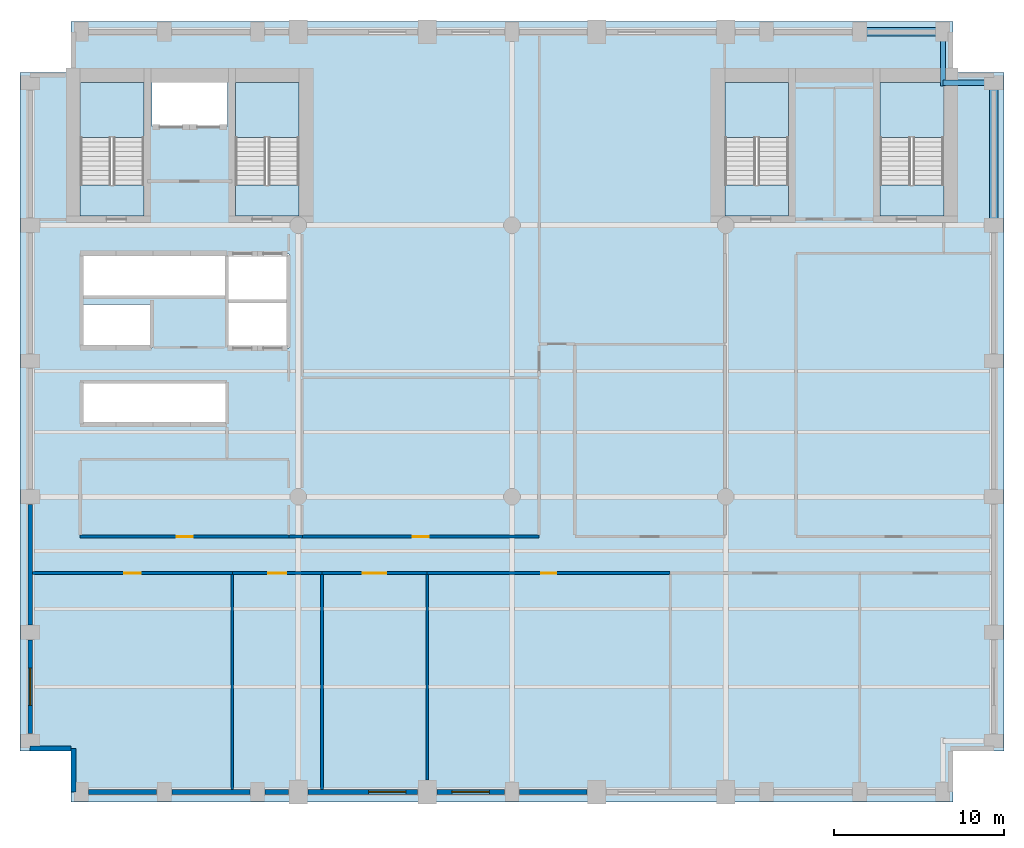
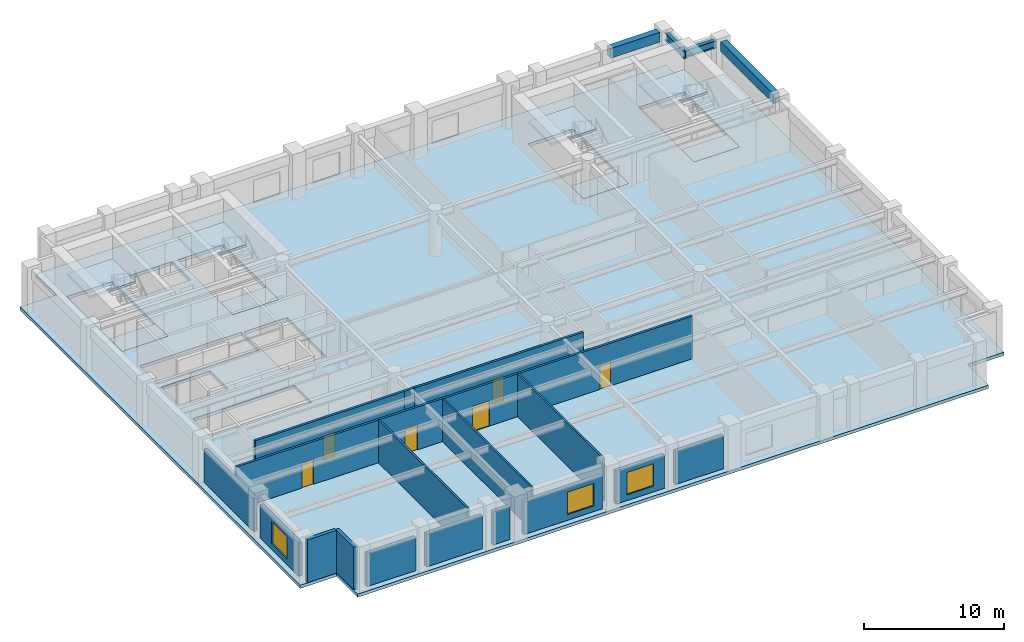
# One storey, part 2 of 7: 20 walls, 9 slabs, 6 doors, 4 beams, 3 windows, 9 openings, 4 elements without a shape of their own.
"""IFC4 building model written with IfcOpenShell, lengths in metres."""

from ifc_helpers import new_model, si_unit, direction, frame, frame_2d, origin, origin_2d, place, context, subcontext, project, spatial, polyline, rectangle, i_section, outline, extrude, material, layer, layer_set, material_profile, profile_set, type_object, element, fill, aggregate, save


model = new_model("IFC4")

# Units and contexts
model_context = context("Model", 3, precision=1e-05, world=origin(), true_north=direction((0.0, 1.0)))
body_context = subcontext(model_context, "Body", "Model", "MODEL_VIEW")
ifc_project = project(units=[si_unit("LENGTHUNIT", "METRE"), si_unit("AREAUNIT", "SQUARE_METRE"), si_unit("VOLUMEUNIT", "CUBIC_METRE"), si_unit("PLANEANGLEUNIT", "RADIAN"), si_unit("MASSUNIT", "GRAM", prefix="KILO")], contexts=[model_context])

# Site, building, storey
site_placement = place(None, origin())
site = spatial("IfcSite", under=ifc_project, at=site_placement, CompositionType="ELEMENT")
building_placement = place(site_placement, origin())
building = spatial("IfcBuilding", under=site, at=building_placement, Name="Sulina Concourse Tower", CompositionType="ELEMENT")
storey_placement = place(building_placement, frame((0.0, 0.0, 92.60009765625)))
storey = spatial("IfcBuildingStorey", under=building, at=storey_placement, Name="L22", CompositionType="ELEMENT", Elevation=92.60009765625)

# Beams
ifc_material_1 = material(Name="Steel S355", Category="steel")
ifc_material_profile_1 = material_profile(ifc_material_1, i_section(OverallWidth=0.300048828125, OverallDepth=0.64990234375, WebThickness=0.01611328125, FlangeThickness=0.031005859375, at=origin_2d()), Name="HE 650 B")
ifc_profile_set_1 = profile_set([ifc_material_profile_1], Name="Steel S355")
beam_type_1 = type_object("IfcBeamType", Name="Floor Primary Girder Zone 2 HE650B", PredefinedType="BEAM", material=ifc_profile_set_1)
beam_1_placement = place(storey_placement, frame((54.39990234375, 42.39990234375, 3.39990234375), z_axis=(1.0, 0.0, 0.0), x_axis=(0.0, 1.0, 0.0)))
element("IfcBeam", 1, at=beam_1_placement, inside=storey, type_object=beam_type_1, Name="TIE-NE-L22", PredefinedType="BEAM", context=body_context, shape_type="SweptSolid", body=[
    extrude(i_section(OverallWidth=0.300048828125, OverallDepth=0.64990234375, WebThickness=0.01611328125, FlangeThickness=0.031005859375, at=origin_2d()), origin(), (0.0, 0.0, 1.0), 2.59521484375),
])
beam_2_placement = place(storey_placement, frame((54.39990234375, 42.199951171875, 3.39990234375), z_axis=(0.0, 1.0, 0.0), x_axis=(-1.0, 0.0, 0.0)))
element("IfcBeam", 2, at=beam_2_placement, inside=storey, type_object=beam_type_1, Name="TIE-NEN-L22", PredefinedType="BEAM", context=body_context, shape_type="SweptSolid", body=[
    extrude(i_section(OverallWidth=0.300048828125, OverallDepth=0.64990234375, WebThickness=0.01611328125, FlangeThickness=0.031005859375, at=origin_2d()), origin(), (0.0, 0.0, 1.0), 2.795166015625),
])
ifc_material_2 = material(Name="Precast concrete C50/60", Category="concrete")
ifc_material_profile_2 = material_profile(ifc_material_2, rectangle(XDim=0.5, YDim=0.85009765625, at=origin_2d()), Name="RC 500x850")
ifc_profile_set_2 = profile_set([ifc_material_profile_2], Name="Precast concrete C50/60")
beam_type_2 = type_object("IfcBeamType", Name="Lower Precast Spandrel Edge Beam 500x850", PredefinedType="BEAM", material=ifc_profile_set_2)
beam_3_placement = place(storey_placement, frame((49.905029296875, 45.39990234375, 3.2998046875), z_axis=(1.0, 0.0, 0.0), x_axis=(0.0, 1.0, 0.0)))
element("IfcBeam", 3, at=beam_3_placement, inside=storey, type_object=beam_type_2, Name="SP-N10-L22", PredefinedType="BEAM", context=body_context, shape_type="SweptSolid", body=[
    extrude(rectangle(XDim=0.5, YDim=0.85009765625, at=origin_2d()), origin(), (0.0, 0.0, 1.0), 4.090087890625),
])
beam_4_placement = place(storey_placement, frame((57.39990234375, 34.405029296875, 3.2998046875), z_axis=(0.0, 1.0, 0.0), x_axis=(-1.0, 0.0, 0.0)))
element("IfcBeam", 4, at=beam_4_placement, inside=storey, type_object=beam_type_2, Name="SP-E5-L22", PredefinedType="BEAM", context=body_context, shape_type="SweptSolid", body=[
    extrude(rectangle(XDim=0.5, YDim=0.85009765625, at=origin_2d()), origin(), (0.0, 0.0, 1.0), 7.590087890625),
])

# Slabs
ifc_material_3 = material(Name="Concrete C50/60", Category="concrete")
ifc_layer_1 = layer(ifc_material_3, 0.27490234375)
ifc_layer_set_1 = layer_set([ifc_layer_1], Name="Concrete C50/60")
slab_type_1 = type_object("IfcSlabType", Name="Mid-Rise Composite Floor Slab 275mm", PredefinedType="FLOOR", material=ifc_layer_set_1)
slab_1_placement = place(storey_placement, frame((0.0, 0.0, -0.275146484375)))
element("IfcSlab", 5, at=slab_1_placement, inside=storey, type_object=slab_type_1, Name="L22 structural floor slab", PredefinedType="FLOOR", context=body_context, shape_type="SweptSolid", body=[
    extrude(outline(polyline([(3.0, 0.0), (55.0, 0.0), (55.0, 3.0), (58.0, 3.0), (58.0, 43.0), (55.0, 43.0), (55.0, 46.0), (3.0, 46.0), (3.0, 43.0), (0.0, 43.0), (0.0, 3.0), (3.0, 3.0), (3.0, 0.0)]), holes=[polyline([(7.31005859375, 34.550048828125), (7.31005859375, 42.429931640625), (3.550048828125, 42.429931640625), (3.550048828125, 34.550048828125), (7.31005859375, 34.550048828125)]), polyline([(16.449951171875, 34.550048828125), (16.449951171875, 42.429931640625), (12.68994140625, 42.429931640625), (12.68994140625, 34.550048828125), (16.449951171875, 34.550048828125)]), polyline([(45.31005859375, 34.550048828125), (45.31005859375, 42.429931640625), (41.550048828125, 42.429931640625), (41.550048828125, 34.550048828125), (45.31005859375, 34.550048828125)]), polyline([(54.449951171875, 34.550048828125), (54.449951171875, 42.429931640625), (50.68994140625, 42.429931640625), (50.68994140625, 34.550048828125), (54.449951171875, 34.550048828125)]), polyline([(7.780029296875, 39.830078125), (12.219970703125, 39.830078125), (12.219970703125, 42.449951171875), (7.780029296875, 42.449951171875), (7.780029296875, 39.830078125)]), polyline([(3.739990234375, 26.780029296875), (7.77001953125, 26.780029296875), (7.77001953125, 29.320068359375), (3.739990234375, 29.320068359375), (3.739990234375, 26.780029296875)]), polyline([(3.739990234375, 29.780029296875), (12.10009765625, 29.780029296875), (12.10009765625, 32.3701171875), (3.739990234375, 32.3701171875), (3.739990234375, 29.780029296875)]), polyline([(3.739990234375, 22.280029296875), (12.10009765625, 22.280029296875), (12.10009765625, 24.77001953125), (3.739990234375, 24.77001953125), (3.739990234375, 22.280029296875)]), polyline([(12.280029296875, 26.780029296875), (15.85009765625, 26.780029296875), (15.85009765625, 32.320068359375), (12.280029296875, 32.320068359375), (12.280029296875, 26.780029296875)])]), origin(), (0.0, 0.0, 1.0), 0.275146484375),
])
ifc_material_4 = material(Name="Concrete C50/60", Category="concrete")
ifc_layer_2 = layer(ifc_material_4, 0.199951171875)
ifc_layer_set_2 = layer_set([ifc_layer_2], Name="Concrete C50/60")
slab_type_2 = type_object("IfcSlabType", Name="Primary Core Stair Landing Slab 200mm", PredefinedType="LANDING", material=ifc_layer_set_2)
slab_2_placement = place(storey_placement, frame((0.0, 0.0, -0.2001953125)))
element("IfcSlab", 6, at=slab_2_placement, inside=storey, type_object=slab_type_2, Name="L22 ST-1 floor landing slab", PredefinedType="LANDING", context=body_context, shape_type="SweptSolid", body=[
    extrude(outline(polyline([(7.31005859375, 34.550048828125), (7.31005859375, 36.375), (3.550048828125, 36.375), (3.550048828125, 34.550048828125), (7.31005859375, 34.550048828125)])), origin(), (0.0, 0.0, 1.0), 0.2001953125),
])
slab_3_placement = place(storey_placement, frame((0.0, 0.0, -0.2001953125)))
element("IfcSlab", 7, at=slab_3_placement, inside=storey, type_object=slab_type_2, Name="L22 ST-2 floor landing slab", PredefinedType="LANDING", context=body_context, shape_type="SweptSolid", body=[
    extrude(outline(polyline([(16.449951171875, 34.550048828125), (16.449951171875, 36.375), (12.68994140625, 36.375), (12.68994140625, 34.550048828125), (16.449951171875, 34.550048828125)])), origin(), (0.0, 0.0, 1.0), 0.2001953125),
])
slab_4_placement = place(storey_placement, frame((0.0, 0.0, -0.2001953125)))
element("IfcSlab", 8, at=slab_4_placement, inside=storey, type_object=slab_type_2, Name="L22 ST-3 floor landing slab", PredefinedType="LANDING", context=body_context, shape_type="SweptSolid", body=[
    extrude(outline(polyline([(45.31005859375, 34.550048828125), (45.31005859375, 36.375), (41.550048828125, 36.375), (41.550048828125, 34.550048828125), (45.31005859375, 34.550048828125)])), origin(), (0.0, 0.0, 1.0), 0.2001953125),
])
slab_5_placement = place(storey_placement, frame((0.0, 0.0, -0.2001953125)))
element("IfcSlab", 9, at=slab_5_placement, inside=storey, type_object=slab_type_2, Name="L22 ST-4 floor landing slab", PredefinedType="LANDING", context=body_context, shape_type="SweptSolid", body=[
    extrude(outline(polyline([(54.449951171875, 34.550048828125), (54.449951171875, 36.375), (50.68994140625, 36.375), (50.68994140625, 34.550048828125), (54.449951171875, 34.550048828125)])), origin(), (0.0, 0.0, 1.0), 0.2001953125),
])

# Stair, slab
ifc_material_5 = material(Name="Concrete C50/60", Category="concrete")
stair_type_1 = type_object("IfcStairType", Name="Primary Core Dog-Leg Exit Stair 1800mm", PredefinedType="HALF_TURN_STAIR", material=ifc_material_5)
stair_1_placement = place(storey_placement, origin())
stair_1 = element("IfcStair", 10, at=stair_1_placement, inside=storey, type_object=stair_type_1, Name="L22 ST-1", PredefinedType="HALF_TURN_STAIR")
slab_6_placement = place(storey_placement, frame((0.0, 0.0, 1.7998046875)))
slab_6 = element("IfcSlab", 11, at=slab_6_placement, type_object=slab_type_2, Name="ST-1 landing 1", PredefinedType="LANDING", context=body_context, shape_type="SweptSolid", body=[
    extrude(outline(polyline([(7.304931640625, 39.175048828125), (7.304931640625, 42.425048828125), (3.554931640625, 42.425048828125), (3.554931640625, 39.175048828125), (7.304931640625, 39.175048828125)])), origin(), (0.0, 0.0, 1.0), 0.2001953125),
])
aggregate(stair_1, [slab_6])

stair_2_placement = place(storey_placement, origin())
stair_2 = element("IfcStair", 12, at=stair_2_placement, inside=storey, type_object=stair_type_1, Name="L22 ST-2", PredefinedType="HALF_TURN_STAIR")
slab_7_placement = place(storey_placement, frame((0.0, 0.0, 1.7998046875)))
slab_7 = element("IfcSlab", 13, at=slab_7_placement, type_object=slab_type_2, Name="ST-2 landing 1", PredefinedType="LANDING", context=body_context, shape_type="SweptSolid", body=[
    extrude(outline(polyline([(16.445068359375, 39.175048828125), (16.445068359375, 42.425048828125), (12.695068359375, 42.425048828125), (12.695068359375, 39.175048828125), (16.445068359375, 39.175048828125)])), origin(), (0.0, 0.0, 1.0), 0.2001953125),
])
aggregate(stair_2, [slab_7])

ifc_material_6 = material(Name="Concrete C50/60", Category="concrete")
stair_type_2 = type_object("IfcStairType", Name="Portal & Podium Core Exit Stair 1820mm", PredefinedType="HALF_TURN_STAIR", material=ifc_material_6)
stair_3_placement = place(storey_placement, origin())
stair_3 = element("IfcStair", 14, at=stair_3_placement, inside=storey, type_object=stair_type_2, Name="L22 ST-3", PredefinedType="HALF_TURN_STAIR")
slab_8_placement = place(storey_placement, frame((0.0, 0.0, 1.7998046875)))
slab_8 = element("IfcSlab", 15, at=slab_8_placement, type_object=slab_type_2, Name="ST-3 landing 1", PredefinedType="LANDING", context=body_context, shape_type="SweptSolid", body=[
    extrude(outline(polyline([(45.304931640625, 39.175048828125), (45.304931640625, 42.425048828125), (41.554931640625, 42.425048828125), (41.554931640625, 39.175048828125), (45.304931640625, 39.175048828125)])), origin(), (0.0, 0.0, 1.0), 0.2001953125),
])
aggregate(stair_3, [slab_8])

stair_4_placement = place(storey_placement, origin())
stair_4 = element("IfcStair", 16, at=stair_4_placement, inside=storey, type_object=stair_type_2, Name="L22 ST-4", PredefinedType="HALF_TURN_STAIR")
slab_9_placement = place(storey_placement, frame((0.0, 0.0, 1.7998046875)))
slab_9 = element("IfcSlab", 17, at=slab_9_placement, type_object=slab_type_2, Name="ST-4 landing 1", PredefinedType="LANDING", context=body_context, shape_type="SweptSolid", body=[
    extrude(outline(polyline([(54.445068359375, 39.175048828125), (54.445068359375, 42.425048828125), (50.695068359375, 42.425048828125), (50.695068359375, 39.175048828125), (54.445068359375, 39.175048828125)])), origin(), (0.0, 0.0, 1.0), 0.2001953125),
])
aggregate(stair_4, [slab_9])

# Walls
ifc_material_7 = material(Name="Gypsum board on steel stud", Category="steel")
ifc_layer_3 = layer(ifc_material_7, 0.14990234375)
ifc_layer_set_3 = layer_set([ifc_layer_3], Name="Gypsum board on steel stud")
wall_type_1 = type_object("IfcWallType", Name="Inter-Tenancy Acoustic Partition 150mm", PredefinedType="PARTITIONING", material=ifc_layer_set_3)
for number, where, z_axis, x_axis, name in (
    (18, (12.52001953125, 0.739990234375, 0.0), (0.0, 0.0, 1.0), (0.0, 1.0, 0.0), "L22 interior partition 025"),
    (19, (17.800048828125, 0.739990234375, 0.0), (0.0, 0.0, 1.0), (0.0, 1.0, 0.0), "L22 interior partition 033"),
):
    element("IfcWall", number, at=place(storey_placement, frame(where, z_axis=z_axis, x_axis=x_axis)), inside=storey, type_object=wall_type_1, Name=name, PredefinedType="PARTITIONING", context=body_context, shape_type="SweptSolid", body=[
        extrude(rectangle(XDim=12.669921875, YDim=0.14990234375, at=frame_2d((6.3349609375, 0.0))), origin(), (0.0, 0.0, 1.0), 3.724853515625),
    ])
wall_1_placement = place(storey_placement, frame((24.0, 1.300048828125, 0.0), z_axis=(0.0, 0.0, 1.0), x_axis=(0.0, 1.0, 0.0)))
element("IfcWall", 20, at=wall_1_placement, inside=storey, type_object=wall_type_1, Name="L22 interior partition 034", PredefinedType="PARTITIONING", context=body_context, shape_type="SweptSolid", body=[
    extrude(rectangle(XDim=12.10986328125, YDim=0.14990234375, at=frame_2d((6.054931640625, 0.0))), origin(), (0.0, 0.0, 1.0), 3.724853515625),
])

# Wall, opening, door
ifc_material_8 = material(Name="Gypsum board on steel stud", Category="steel")
ifc_layer_4 = layer(ifc_material_8, 0.179931640625)
ifc_layer_set_4 = layer_set([ifc_layer_4], Name="Gypsum board on steel stud")
wall_type_2 = type_object("IfcWallType", Name="Protected Corridor & Riser Partition 180mm", PredefinedType="PARTITIONING", material=ifc_layer_set_4)
wall_2_placement = place(storey_placement, frame((0.739990234375, 13.5, 0.0), z_axis=(0.0, 0.0, 1.0), x_axis=(1.0, 0.0, 0.0)))
wall_2 = element("IfcWall", 21, at=wall_2_placement, inside=storey, type_object=wall_type_2, Name="L22 interior partition 001", PredefinedType="PARTITIONING", context=body_context, shape_type="SweptSolid", body=[
    extrude(rectangle(XDim=11.780029296875, YDim=0.179931640625, at=frame_2d((5.89013671875, 0.0))), origin(), (0.0, 0.0, 1.0), 3.724853515625),
])
opening_1_placement = place(wall_2_placement, frame((5.4150390625, 0.0, 0.0)))
opening_1 = element("IfcOpeningElement", 22, at=opening_1_placement, cuts=wall_2, Name="Opening DR-19", PredefinedType="OPENING", context=body_context, shape_type="SweptSolid", body=[
    extrude(rectangle(XDim=0.949951171875, YDim=2.14990234375, at=frame_2d((0.47509765625, 1.074951171875))), frame((0.0, 0.099853515625, 0.0), z_axis=(0.0, -1.0, 0.0), x_axis=(1.0, 0.0, 0.0)), (0.0, 0.0, 1.0), 0.199951171875),
])
ifc_material_9 = material(Name="Oak-veneered acoustic timber leaf", Category="wood")
ifc_layer_5 = layer(ifc_material_9, 0.050048828125)
ifc_layer_set_5 = layer_set([ifc_layer_5], Name="Oak-veneered acoustic timber leaf")
door_type_1 = type_object("IfcDoorType", Name="Cellular Office & Meeting Door 950x2150", OperationType="NOTDEFINED", PredefinedType="DOOR", material=ifc_layer_set_5)
door_1_placement = place(opening_1_placement, origin())
door_1 = element("IfcDoor", 23, at=door_1_placement, inside=storey, type_object=door_type_1, Name="L22 interior door L22-S01", OperationType="SINGLE_SWING_LEFT", OverallHeight=2.14990234375, OverallWidth=0.949951171875, PredefinedType="DOOR", context=body_context, shape_type="SweptSolid", body=[
    extrude(rectangle(XDim=0.949951171875, YDim=2.14990234375, at=frame_2d((0.47509765625, 1.074951171875))), frame((0.0, 0.02490234375, 0.0), z_axis=(0.0, -1.0, 0.0), x_axis=(1.0, 0.0, 0.0)), (0.0, 0.0, 1.0), 0.050048828125),
])
fill(opening_1, door_1)

wall_3_placement = place(storey_placement, frame((12.52001953125, 13.5, 0.0), z_axis=(0.0, 0.0, 1.0), x_axis=(1.0, 0.0, 0.0)))
wall_3 = element("IfcWall", 24, at=wall_3_placement, inside=storey, type_object=wall_type_2, Name="L22 interior partition 002", PredefinedType="PARTITIONING", context=body_context, shape_type="SweptSolid", body=[
    extrude(rectangle(XDim=5.280029296875, YDim=0.179931640625, at=frame_2d((2.64013671875, 0.0))), origin(), (0.0, 0.0, 1.0), 3.724853515625),
])
opening_2_placement = place(wall_3_placement, frame((2.114990234375, 0.0, 0.0)))
opening_2 = element("IfcOpeningElement", 25, at=opening_2_placement, cuts=wall_3, Name="Opening DR-37", PredefinedType="OPENING", context=body_context, shape_type="SweptSolid", body=[
    extrude(rectangle(XDim=1.050048828125, YDim=2.14990234375, at=frame_2d((0.52490234375, 1.074951171875))), frame((0.0, 0.099853515625, 0.0), z_axis=(0.0, -1.0, 0.0), x_axis=(1.0, 0.0, 0.0)), (0.0, 0.0, 1.0), 0.199951171875),
])
ifc_material_10 = material(Name="Oak-veneered fire door leaf")
ifc_layer_6 = layer(ifc_material_10, 0.050048828125)
ifc_layer_set_6 = layer_set([ifc_layer_6], Name="Oak-veneered fire door leaf")
door_type_2 = type_object("IfcDoorType", Name="Tenant Suite Entrance Fire Door 1050x2150", OperationType="NOTDEFINED", PredefinedType="DOOR", material=ifc_layer_set_6)
door_2_placement = place(opening_2_placement, origin())
door_2 = element("IfcDoor", 26, at=door_2_placement, inside=storey, type_object=door_type_2, Name="L22 interior door L22-S02A", OperationType="SINGLE_SWING_RIGHT", OverallHeight=2.14990234375, OverallWidth=1.050048828125, PredefinedType="DOOR", context=body_context, shape_type="SweptSolid", body=[
    extrude(rectangle(XDim=1.050048828125, YDim=2.14990234375, at=frame_2d((0.52490234375, 1.074951171875))), frame((0.0, 0.02490234375, 0.0), z_axis=(0.0, -1.0, 0.0), x_axis=(1.0, 0.0, 0.0)), (0.0, 0.0, 1.0), 0.050048828125),
])
fill(opening_2, door_2)

wall_4_placement = place(storey_placement, frame((17.800048828125, 13.5, 0.0), z_axis=(0.0, 0.0, 1.0), x_axis=(1.0, 0.0, 0.0)))
wall_4 = element("IfcWall", 27, at=wall_4_placement, inside=storey, type_object=wall_type_2, Name="L22 interior partition 003", PredefinedType="PARTITIONING", context=body_context, shape_type="SweptSolid", body=[
    extrude(rectangle(XDim=6.199951171875, YDim=0.179931640625, at=frame_2d((3.10009765625, 0.0))), origin(), (0.0, 0.0, 1.0), 3.724853515625),
])
opening_3_placement = place(wall_4_placement, frame((2.39990234375, 0.0, 0.0)))
opening_3 = element("IfcOpeningElement", 28, at=opening_3_placement, cuts=wall_4, Name="Opening DR-57", PredefinedType="OPENING", context=body_context, shape_type="SweptSolid", body=[
    extrude(rectangle(XDim=1.39990234375, YDim=2.199951171875, at=frame_2d((0.699951171875, 1.10009765625))), frame((0.0, 0.099853515625, 0.0), z_axis=(0.0, -1.0, 0.0), x_axis=(1.0, 0.0, 0.0)), (0.0, 0.0, 1.0), 0.199951171875),
])
ifc_material_11 = material(Name="Oak-veneered fire door leaf")
ifc_layer_7 = layer(ifc_material_11, 0.054931640625)
ifc_layer_set_7 = layer_set([ifc_layer_7], Name="Oak-veneered fire door leaf")
door_type_3 = type_object("IfcDoorType", Name="Core Lift Lobby Double Fire Door 1400x2200", OperationType="DOUBLE_DOOR_SINGLE_SWING", PredefinedType="DOOR", material=ifc_layer_set_7)
door_3_placement = place(opening_3_placement, origin())
door_3 = element("IfcDoor", 29, at=door_3_placement, inside=storey, type_object=door_type_3, Name="L22 interior door L22-S02B", OperationType="DOUBLE_DOOR_SINGLE_SWING", OverallHeight=2.199951171875, OverallWidth=1.39990234375, PredefinedType="DOOR", context=body_context, shape_type="SweptSolid", body=[
    extrude(rectangle(XDim=1.39990234375, YDim=2.199951171875, at=frame_2d((0.699951171875, 1.10009765625))), frame((0.0, 0.02490234375, 0.0), z_axis=(0.0, -1.0, 0.0), x_axis=(1.0, 0.0, 0.0)), (0.0, 0.0, 1.0), 0.050048828125),
])
fill(opening_3, door_3)

wall_5_placement = place(storey_placement, frame((24.0, 13.5, 0.0), z_axis=(0.0, 0.0, 1.0), x_axis=(1.0, 0.0, 0.0)))
wall_5 = element("IfcWall", 30, at=wall_5_placement, inside=storey, type_object=wall_type_2, Name="L22 interior partition 004", PredefinedType="PARTITIONING", context=body_context, shape_type="SweptSolid", body=[
    extrude(rectangle(XDim=14.320068359375, YDim=0.179931640625, at=frame_2d((7.16015625, 0.0))), origin(), (0.0, 0.0, 1.0), 3.724853515625),
])
opening_4_placement = place(wall_5_placement, frame((6.719970703125, 0.0, 0.0)))
opening_4 = element("IfcOpeningElement", 31, at=opening_4_placement, cuts=wall_5, Name="Opening DR-38", PredefinedType="OPENING", context=body_context, shape_type="SweptSolid", body=[
    extrude(rectangle(XDim=0.8798828125, YDim=2.10009765625, at=frame_2d((0.43994140625, 1.050048828125))), frame((0.0, 0.099853515625, 0.0), z_axis=(0.0, -1.0, 0.0), x_axis=(1.0, 0.0, 0.0)), (0.0, 0.0, 1.0), 0.199951171875),
])
ifc_material_12 = material(Name="Galvanised steel acoustic fire leaf", Category="steel")
ifc_layer_8 = layer(ifc_material_12, 0.050048828125)
ifc_layer_set_8 = layer_set([ifc_layer_8], Name="Galvanised steel acoustic fire leaf")
door_type_4 = type_object("IfcDoorType", Name="Service Riser Fire Door 880x2100", OperationType="NOTDEFINED", PredefinedType="DOOR", material=ifc_layer_set_8)
door_4_placement = place(opening_4_placement, origin())
door_4 = element("IfcDoor", 32, at=door_4_placement, inside=storey, type_object=door_type_4, Name="L22 interior door L22-S03", OperationType="SINGLE_SWING_LEFT", OverallHeight=2.10009765625, OverallWidth=0.8798828125, PredefinedType="DOOR", context=body_context, shape_type="SweptSolid", body=[
    extrude(rectangle(XDim=0.8798828125, YDim=2.10009765625, at=frame_2d((0.43994140625, 1.050048828125))), frame((0.0, 0.02490234375, 0.0), z_axis=(0.0, -1.0, 0.0), x_axis=(1.0, 0.0, 0.0)), (0.0, 0.0, 1.0), 0.050048828125),
])
fill(opening_4, door_4)

wall_6_placement = place(storey_placement, frame((3.550048828125, 15.64990234375, 0.0), z_axis=(0.0, 0.0, 1.0), x_axis=(1.0, 0.0, 0.0)))
wall_6 = element("IfcWall", 33, at=wall_6_placement, inside=storey, type_object=wall_type_2, Name="L22 interior partition 007", PredefinedType="PARTITIONING", context=body_context, shape_type="SweptSolid", body=[
    extrude(rectangle(XDim=12.300048828125, YDim=0.179931640625, at=frame_2d((6.14990234375, 0.0))), origin(), (0.0, 0.0, 1.0), 3.724853515625),
])
opening_5_placement = place(wall_6_placement, frame((5.675048828125, 0.0, 0.0)))
opening_5 = element("IfcOpeningElement", 34, at=opening_5_placement, cuts=wall_6, Name="Opening DR-19", PredefinedType="OPENING", context=body_context, shape_type="SweptSolid", body=[
    extrude(rectangle(XDim=0.949951171875, YDim=2.14990234375, at=frame_2d((0.47509765625, 1.074951171875))), frame((0.0, 0.099853515625, 0.0), z_axis=(0.0, -1.0, 0.0), x_axis=(1.0, 0.0, 0.0)), (0.0, 0.0, 1.0), 0.199951171875),
])
door_5_placement = place(opening_5_placement, origin())
door_5 = element("IfcDoor", 35, at=door_5_placement, inside=storey, type_object=door_type_1, Name="L22 interior door L22-WSB-0", OperationType="SINGLE_SWING_RIGHT", OverallHeight=2.14990234375, OverallWidth=0.949951171875, PredefinedType="DOOR", context=body_context, shape_type="SweptSolid", body=[
    extrude(rectangle(XDim=0.949951171875, YDim=2.14990234375, at=frame_2d((0.47509765625, 1.074951171875))), frame((0.0, 0.02490234375, 0.0), z_axis=(0.0, -1.0, 0.0), x_axis=(1.0, 0.0, 0.0)), (0.0, 0.0, 1.0), 0.050048828125),
])
fill(opening_5, door_5)

# Wall
wall_7_placement = place(storey_placement, frame((15.85009765625, 15.64990234375, 0.0), z_axis=(0.0, 0.0, 1.0), x_axis=(1.0, 0.0, 0.0)))
element("IfcWall", 36, at=wall_7_placement, inside=storey, type_object=wall_type_2, Name="L22 interior partition 008", PredefinedType="PARTITIONING", context=body_context, shape_type="SweptSolid", body=[
    extrude(rectangle(XDim=0.7998046875, YDim=0.179931640625, at=frame_2d((0.39990234375, 0.0))), origin(), (0.0, 0.0, 1.0), 3.724853515625),
])

# Wall, opening, door
wall_8_placement = place(storey_placement, frame((16.64990234375, 15.64990234375, 0.0), z_axis=(0.0, 0.0, 1.0), x_axis=(1.0, 0.0, 0.0)))
wall_8 = element("IfcWall", 37, at=wall_8_placement, inside=storey, type_object=wall_type_2, Name="L22 interior partition 009", PredefinedType="PARTITIONING", context=body_context, shape_type="SweptSolid", body=[
    extrude(rectangle(XDim=13.9501953125, YDim=0.179931640625, at=frame_2d((6.97509765625, 0.0))), origin(), (0.0, 0.0, 1.0), 3.724853515625),
])
opening_6_placement = place(wall_8_placement, frame((6.5, 0.0, 0.0)))
opening_6 = element("IfcOpeningElement", 38, at=opening_6_placement, cuts=wall_8, Name="Opening DR-19", PredefinedType="OPENING", context=body_context, shape_type="SweptSolid", body=[
    extrude(rectangle(XDim=0.949951171875, YDim=2.14990234375, at=frame_2d((0.47509765625, 1.074951171875))), frame((0.0, 0.099853515625, 0.0), z_axis=(0.0, -1.0, 0.0), x_axis=(1.0, 0.0, 0.0)), (0.0, 0.0, 1.0), 0.199951171875),
])
door_6_placement = place(opening_6_placement, origin())
door_6 = element("IfcDoor", 39, at=door_6_placement, inside=storey, type_object=door_type_1, Name="L22 interior door L22-NC1", OperationType="SINGLE_SWING_LEFT", OverallHeight=2.14990234375, OverallWidth=0.949951171875, PredefinedType="DOOR", context=body_context, shape_type="SweptSolid", body=[
    extrude(rectangle(XDim=0.949951171875, YDim=2.14990234375, at=frame_2d((0.47509765625, 1.074951171875))), frame((0.0, 0.02490234375, 0.0), z_axis=(0.0, -1.0, 0.0), x_axis=(1.0, 0.0, 0.0)), (0.0, 0.0, 1.0), 0.050048828125),
])
fill(opening_6, door_6)

# Walls
ifc_material_13 = material(Name="Precast concrete C50/60", Category="concrete")
ifc_layer_9 = layer(ifc_material_13, 0.280029296875)
ifc_layer_set_9 = layer_set([ifc_layer_9], Name="Precast concrete C50/60")
wall_type_3 = type_object("IfcWallType", Name="Typical Precast Masonry-Frame Facade Wall 280mm", PredefinedType="SOLIDWALL", material=ifc_layer_set_9)
wall_9_placement = place(storey_placement, frame((8.054931640625, 0.60009765625, 0.0), z_axis=(0.0, 0.0, 1.0), x_axis=(-1.0, 0.0, 0.0)))
element("IfcWall", 40, at=wall_9_placement, inside=storey, type_object=wall_type_3, Name="L22 exterior precast wall S1", PredefinedType="SOLIDWALL", context=body_context, shape_type="SweptSolid", body=[
    extrude(rectangle(XDim=4.010009765625, YDim=0.280029296875, at=frame_2d((2.0048828125, 0.0))), origin(), (0.0, 0.0, 1.0), 2.875),
])
wall_10_placement = place(storey_placement, frame((13.554931640625, 0.60009765625, 0.0), z_axis=(0.0, 0.0, 1.0), x_axis=(-1.0, 0.0, 0.0)))
element("IfcWall", 41, at=wall_10_placement, inside=storey, type_object=wall_type_3, Name="L22 exterior precast wall S2", PredefinedType="SOLIDWALL", context=body_context, shape_type="SweptSolid", body=[
    extrude(rectangle(XDim=4.60986328125, YDim=0.280029296875, at=frame_2d((2.304931640625, 0.0))), origin(), (0.0, 0.0, 1.0), 2.875),
])
wall_11_placement = place(storey_placement, frame((15.830078125, 0.60009765625, 0.0), z_axis=(0.0, 0.0, 1.0), x_axis=(-1.0, 0.0, 0.0)))
element("IfcWall", 42, at=wall_11_placement, inside=storey, type_object=wall_type_3, Name="L22 exterior precast wall S3", PredefinedType="SOLIDWALL", context=body_context, shape_type="SweptSolid", body=[
    extrude(rectangle(XDim=1.385009765625, YDim=0.280029296875, at=frame_2d((0.6923828125, 0.0))), origin(), (0.0, 0.0, 1.0), 2.875),
])

# Wall, opening, window
wall_12_placement = place(storey_placement, frame((23.429931640625, 0.60009765625, 0.0), z_axis=(0.0, 0.0, 1.0), x_axis=(-1.0, 0.0, 0.0)))
wall_12 = element("IfcWall", 43, at=wall_12_placement, inside=storey, type_object=wall_type_3, Name="L22 exterior precast wall S4", PredefinedType="SOLIDWALL", context=body_context, shape_type="SweptSolid", body=[
    extrude(rectangle(XDim=6.4599609375, YDim=0.280029296875, at=frame_2d((3.22998046875, 0.0))), origin(), (0.0, 0.0, 1.0), 2.875),
])
opening_7_placement = place(wall_12_placement, frame((0.686767578125, 0.0, 0.5)))
opening_7 = element("IfcOpeningElement", 44, at=opening_7_placement, cuts=wall_12, Name="Opening WN-76", PredefinedType="OPENING", context=body_context, shape_type="SweptSolid", body=[
    extrude(rectangle(XDim=2.199951171875, YDim=1.949951171875, at=frame_2d((1.10009765625, 0.97509765625))), frame((0.0, 0.14990234375, 0.0), z_axis=(0.0, -1.0, 0.0), x_axis=(1.0, 0.0, 0.0)), (0.0, 0.0, 1.0), 0.300048828125),
])
ifc_material_14 = material(Name="Low-E solar double glazing in bronze aluminium", Category="aluminium")
window_type = type_object("IfcWindowType", Name="Recessed Spandrel Window 2200x1950", PartitioningType="DOUBLE_PANEL_VERTICAL", PredefinedType="WINDOW", material=ifc_material_14)
window_1_placement = place(opening_7_placement, origin())
window_1 = element("IfcWindow", 45, at=window_1_placement, inside=storey, type_object=window_type, Name="L22 punched window S4-1", OverallHeight=1.949951171875, OverallWidth=2.199951171875, PartitioningType="SINGLE_PANEL", PredefinedType="WINDOW", context=body_context, shape_type="SweptSolid", body=[
    extrude(rectangle(XDim=2.199951171875, YDim=1.949951171875, at=frame_2d((1.10009765625, 0.97509765625))), frame((0.0, 0.030029296875, 0.0), z_axis=(0.0, -1.0, 0.0), x_axis=(1.0, 0.0, 0.0)), (0.0, 0.0, 1.0), 0.06005859375),
])
fill(opening_7, window_1)

wall_13_placement = place(storey_placement, frame((28.554931640625, 0.60009765625, 0.0), z_axis=(0.0, 0.0, 1.0), x_axis=(-1.0, 0.0, 0.0)))
wall_13 = element("IfcWall", 46, at=wall_13_placement, inside=storey, type_object=wall_type_3, Name="L22 exterior precast wall S5", PredefinedType="SOLIDWALL", context=body_context, shape_type="SweptSolid", body=[
    extrude(rectangle(XDim=3.98486328125, YDim=0.280029296875, at=frame_2d((1.992431640625, 0.0))), origin(), (0.0, 0.0, 1.0), 2.875),
])
opening_8_placement = place(wall_13_placement, frame((0.892578125, 0.0, 0.5)))
opening_8 = element("IfcOpeningElement", 47, at=opening_8_placement, cuts=wall_13, Name="Opening WN-76", PredefinedType="OPENING", context=body_context, shape_type="SweptSolid", body=[
    extrude(rectangle(XDim=2.199951171875, YDim=1.949951171875, at=frame_2d((1.10009765625, 0.97509765625))), frame((0.0, 0.14990234375, 0.0), z_axis=(0.0, -1.0, 0.0), x_axis=(1.0, 0.0, 0.0)), (0.0, 0.0, 1.0), 0.300048828125),
])
window_2_placement = place(opening_8_placement, origin())
window_2 = element("IfcWindow", 48, at=window_2_placement, inside=storey, type_object=window_type, Name="L22 punched window S5-1", OverallHeight=1.949951171875, OverallWidth=2.199951171875, PartitioningType="SINGLE_PANEL", PredefinedType="WINDOW", context=body_context, shape_type="SweptSolid", body=[
    extrude(rectangle(XDim=2.199951171875, YDim=1.949951171875, at=frame_2d((1.10009765625, 0.97509765625))), frame((0.0, 0.030029296875, 0.0), z_axis=(0.0, -1.0, 0.0), x_axis=(1.0, 0.0, 0.0)), (0.0, 0.0, 1.0), 0.06005859375),
])
fill(opening_8, window_2)

# Wall
wall_14_placement = place(storey_placement, frame((33.429931640625, 0.60009765625, 0.0), z_axis=(0.0, 0.0, 1.0), x_axis=(-1.0, 0.0, 0.0)))
element("IfcWall", 49, at=wall_14_placement, inside=storey, type_object=wall_type_3, Name="L22 exterior precast wall S6", PredefinedType="SOLIDWALL", context=body_context, shape_type="SweptSolid", body=[
    extrude(rectangle(XDim=3.98486328125, YDim=0.280029296875, at=frame_2d((1.992431640625, 0.0))), origin(), (0.0, 0.0, 1.0), 2.875),
])

# Wall, opening, window
wall_15_placement = place(storey_placement, frame((0.60009765625, 4.044921875, 0.0), z_axis=(0.0, 0.0, 1.0), x_axis=(0.0, 1.0, 0.0)))
wall_15 = element("IfcWall", 50, at=wall_15_placement, inside=storey, type_object=wall_type_3, Name="L22 exterior precast wall W1", PredefinedType="SOLIDWALL", context=body_context, shape_type="SweptSolid", body=[
    extrude(rectangle(XDim=5.510009765625, YDim=0.280029296875, at=frame_2d((2.7548828125, 0.0))), origin(), (0.0, 0.0, 1.0), 2.875),
])
opening_9_placement = place(wall_15_placement, frame((1.655029296875, 0.0, 0.5)))
opening_9 = element("IfcOpeningElement", 51, at=opening_9_placement, cuts=wall_15, Name="Opening WN-76", PredefinedType="OPENING", context=body_context, shape_type="SweptSolid", body=[
    extrude(rectangle(XDim=2.199951171875, YDim=1.949951171875, at=frame_2d((1.10009765625, 0.97509765625))), frame((0.0, 0.14990234375, 0.0), z_axis=(0.0, -1.0, 0.0), x_axis=(1.0, 0.0, 0.0)), (0.0, 0.0, 1.0), 0.300048828125),
])
window_3_placement = place(opening_9_placement, origin())
window_3 = element("IfcWindow", 52, at=window_3_placement, inside=storey, type_object=window_type, Name="L22 punched window W1-1", OverallHeight=1.949951171875, OverallWidth=2.199951171875, PartitioningType="SINGLE_PANEL", PredefinedType="WINDOW", context=body_context, shape_type="SweptSolid", body=[
    extrude(rectangle(XDim=2.199951171875, YDim=1.949951171875, at=frame_2d((1.10009765625, 0.97509765625))), frame((0.0, 0.030029296875, 0.0), z_axis=(0.0, -1.0, 0.0), x_axis=(1.0, 0.0, 0.0)), (0.0, 0.0, 1.0), 0.06005859375),
])
fill(opening_9, window_3)

# Walls
wall_16_placement = place(storey_placement, frame((0.60009765625, 10.445068359375, 0.0), z_axis=(0.0, 0.0, 1.0), x_axis=(0.0, 1.0, 0.0)))
element("IfcWall", 53, at=wall_16_placement, inside=storey, type_object=wall_type_3, Name="L22 exterior precast wall W2", PredefinedType="SOLIDWALL", context=body_context, shape_type="SweptSolid", body=[
    extrude(rectangle(XDim=7.10986328125, YDim=0.280029296875, at=frame_2d((3.554931640625, 0.0))), origin(), (0.0, 0.0, 1.0), 2.875),
])
wall_17_placement = place(storey_placement, frame((3.155029296875, 0.60009765625, 0.0), z_axis=(0.0, 0.0, 1.0), x_axis=(0.0, 1.0, 0.0)))
element("IfcWall", 54, at=wall_17_placement, inside=storey, type_object=wall_type_3, Name="L22 exterior precast wall CSW1", PredefinedType="SOLIDWALL", context=body_context, shape_type="SweptSolid", body=[
    extrude(rectangle(XDim=2.554931640625, YDim=0.280029296875, at=frame_2d((1.27734375, 0.0))), origin(), (0.0, 0.0, 1.0), 3.724853515625),
])
wall_18_placement = place(storey_placement, frame((3.010009765625, 3.155029296875, 0.0), z_axis=(0.0, 0.0, 1.0), x_axis=(-1.0, 0.0, 0.0)))
element("IfcWall", 55, at=wall_18_placement, inside=storey, type_object=wall_type_3, Name="L22 exterior precast wall CSW2", PredefinedType="SOLIDWALL", context=body_context, shape_type="SweptSolid", body=[
    extrude(rectangle(XDim=2.409912109375, YDim=0.280029296875, at=frame_2d((1.205078125, 0.0))), origin(), (0.0, 0.0, 1.0), 3.724853515625),
])

save(model, "model.ifc")
